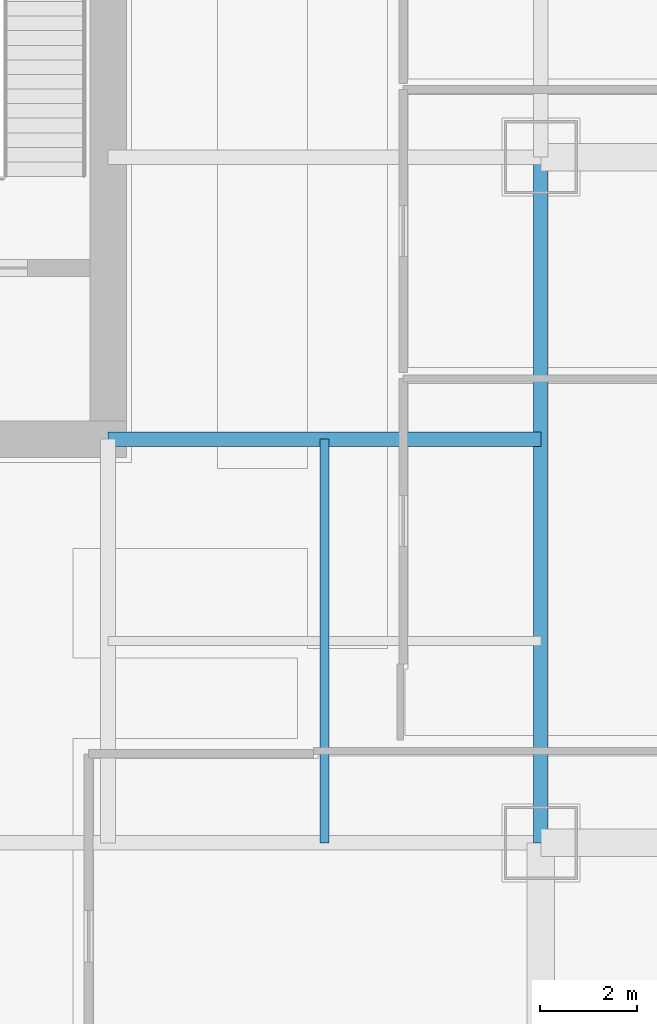
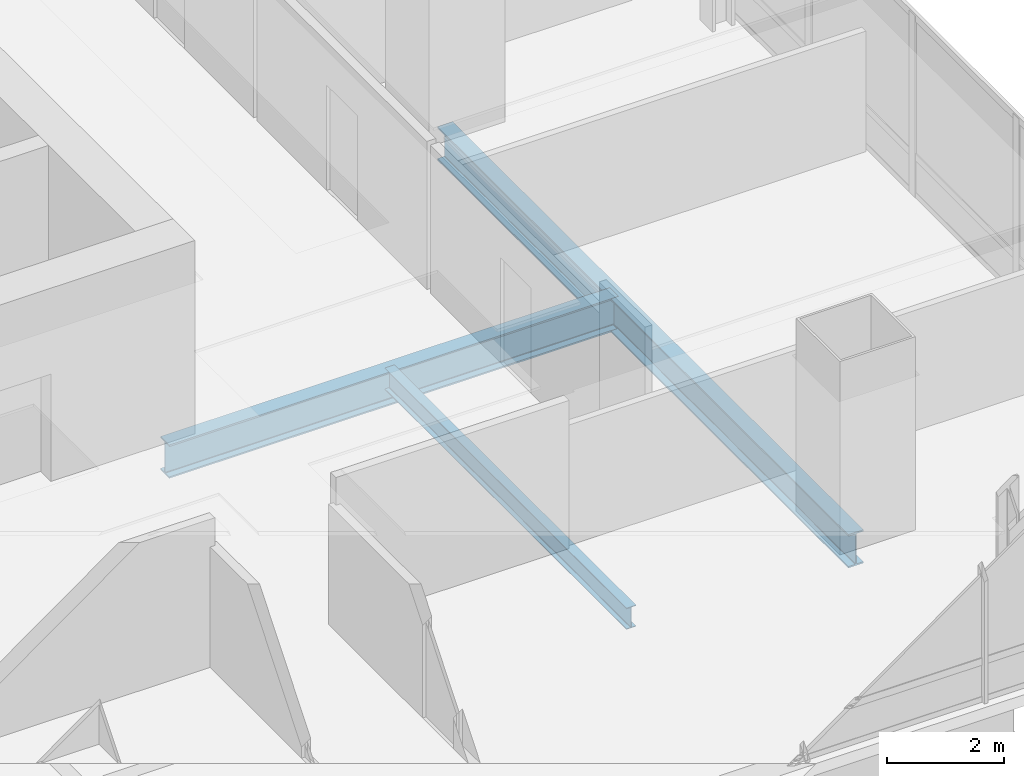
# One storey, part 13 of 34: 3 beams.
"""IFC4 building model written with IfcOpenShell, lengths in metres."""

from ifc_helpers import new_model, si_unit, direction, frame, origin, origin_2d, place, context, subcontext, project, spatial, i_section, extrude, material, material_profile, profile_set, type_object, element, save


model = new_model("IFC4")

# Units and contexts
model_context = context("Model", 3, precision=1e-05, world=origin(), true_north=direction((0.0, 1.0)))
body_context = subcontext(model_context, "Body", "Model", "MODEL_VIEW")
ifc_project = project(units=[si_unit("LENGTHUNIT", "METRE"), si_unit("AREAUNIT", "SQUARE_METRE"), si_unit("VOLUMEUNIT", "CUBIC_METRE"), si_unit("PLANEANGLEUNIT", "RADIAN"), si_unit("MASSUNIT", "GRAM", prefix="KILO")], contexts=[model_context])

# Site, building, storey
site_placement = place(None, origin())
site = spatial("IfcSite", under=ifc_project, at=site_placement, CompositionType="ELEMENT")
building_placement = place(site_placement, origin())
building = spatial("IfcBuilding", under=site, at=building_placement, Name="Punatoya Terracotta Tower", CompositionType="ELEMENT")
storey_placement = place(building_placement, frame((0.0, 0.0, 84.89990234375)))
storey = spatial("IfcBuildingStorey", under=building, at=storey_placement, Name="L19", CompositionType="ELEMENT", Elevation=84.89990234375)

# Beams
ifc_material = material(Name="Steel S355", Category="steel")
ifc_material_profile_1 = material_profile(ifc_material, i_section(OverallWidth=0.300048828125, OverallDepth=0.699951171875, WebThickness=0.01708984375, FlangeThickness=0.031982421875, FilletRadius=0.01806640625, at=origin_2d()))
ifc_profile_set_1 = profile_set([ifc_material_profile_1], Name="Steel S355")
beam_type_1 = type_object("IfcBeamType", Name="BM-PRI-700", PredefinedType="BEAM", material=ifc_profile_set_1)
beam_1_placement = place(storey_placement, frame((19.10009765625, -17.5, -0.58984375), z_axis=(0.0, 1.0, 0.0), x_axis=(-1.0, 0.0, 0.0)))
element("IfcBeam", 1, at=beam_1_placement, inside=storey, type_object=beam_type_1, Name="BM-L19-RG-E1", PredefinedType="BEAM", context=body_context, shape_type="SweptSolid", body=[
    extrude(i_section(OverallWidth=0.300048828125, OverallDepth=0.699951171875, WebThickness=0.01708984375, FlangeThickness=0.031982421875, FilletRadius=0.01806640625, at=origin_2d()), origin(), (0.0, 0.0, 1.0), 14.10009765625),
])
beam_2_placement = place(storey_placement, frame((10.199951171875, -9.199951171875, -0.58984375), z_axis=(1.0, 0.0, 0.0), x_axis=(0.0, 1.0, 0.0)))
element("IfcBeam", 2, at=beam_2_placement, inside=storey, type_object=beam_type_1, Name="BM-L19-PR-ES", PredefinedType="BEAM", context=body_context, shape_type="SweptSolid", body=[
    extrude(i_section(OverallWidth=0.300048828125, OverallDepth=0.699951171875, WebThickness=0.01708984375, FlangeThickness=0.031982421875, FilletRadius=0.01806640625, at=origin_2d()), origin(), (0.0, 0.0, 1.0), 8.900146484375),
])
ifc_material_profile_2 = material_profile(ifc_material, i_section(OverallWidth=0.18994140625, OverallDepth=0.449951171875, WebThickness=0.009521484375, FlangeThickness=0.0146484375, FilletRadius=0.01806640625, at=origin_2d()))
ifc_profile_set_2 = profile_set([ifc_material_profile_2], Name="Steel S355")
beam_type_2 = type_object("IfcBeamType", Name="BM-SEC-450", PredefinedType="JOIST", material=ifc_profile_set_2)
beam_3_placement = place(storey_placement, frame((14.64990234375, -17.5, -0.46484375), z_axis=(0.0, 1.0, 0.0), x_axis=(-1.0, 0.0, 0.0)))
element("IfcBeam", 3, at=beam_3_placement, inside=storey, type_object=beam_type_2, Name="BM-L19-SJE-1", PredefinedType="JOIST", context=body_context, shape_type="SweptSolid", body=[
    extrude(i_section(OverallWidth=0.18994140625, OverallDepth=0.449951171875, WebThickness=0.009521484375, FlangeThickness=0.0146484375, FilletRadius=0.01806640625, at=origin_2d()), origin(), (0.0, 0.0, 1.0), 8.300048828125),
])

save(model, "model.ifc")
